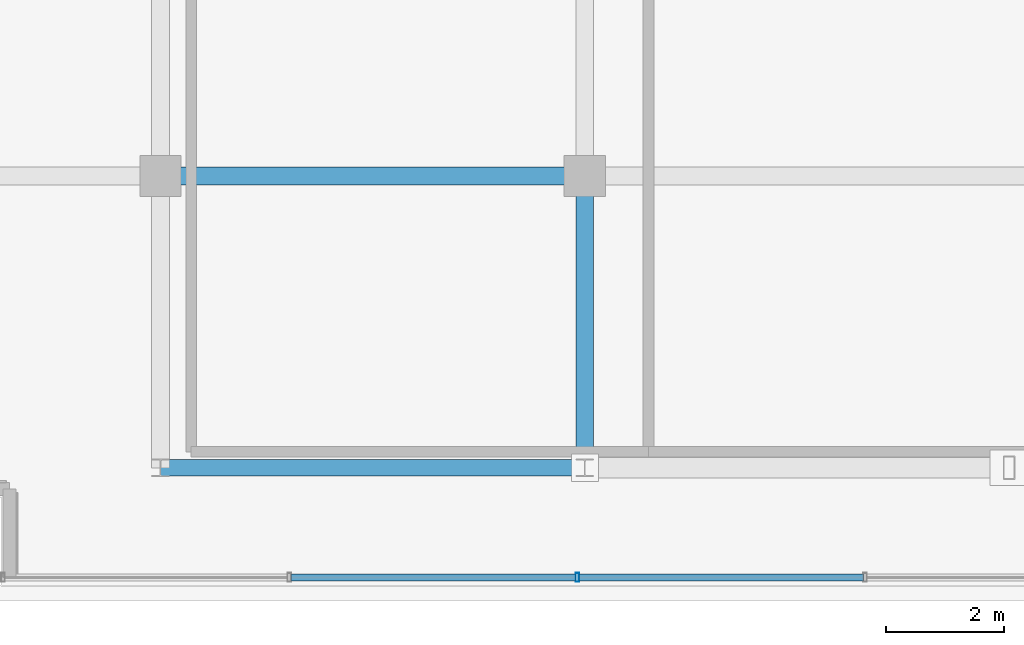
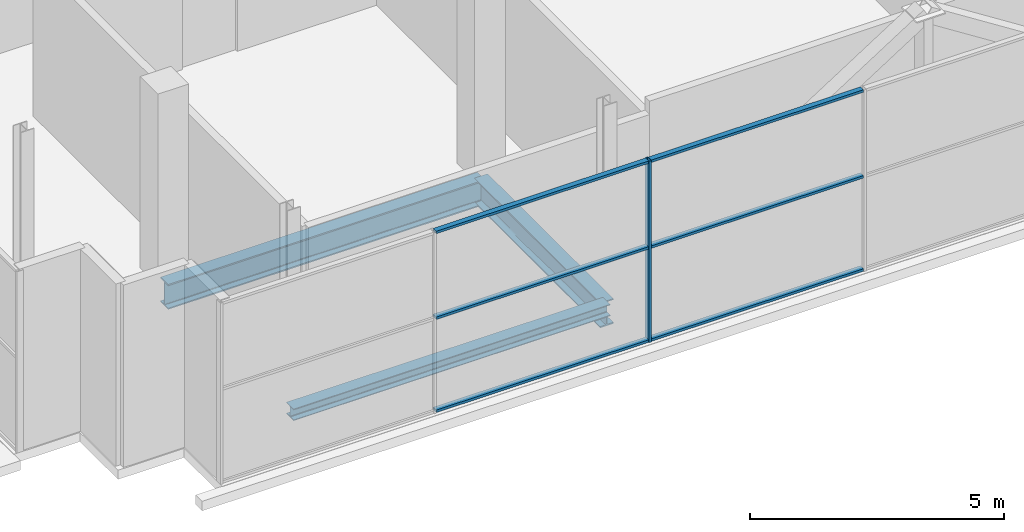
# One storey, part 4 of 28: 7 members, 3 beams, 1 element without a shape of its own.
"""IFC4 building model written with IfcOpenShell, lengths in metres."""

from ifc_helpers import new_model, si_unit, direction, frame, origin, origin_2d, place, context, subcontext, project, spatial, hollow_rectangle, i_section, extrude, source, transform, mapped, material, layer, layer_set, material_profile, profile_set, type_object, element, aggregate, save


model = new_model("IFC4")

# Units and contexts
model_context = context("Model", 3, precision=1e-05, world=origin(), true_north=direction((0.0, 1.0)))
body_context = subcontext(model_context, "Body", "Model", "MODEL_VIEW")
ifc_project = project(units=[si_unit("LENGTHUNIT", "METRE"), si_unit("AREAUNIT", "SQUARE_METRE"), si_unit("VOLUMEUNIT", "CUBIC_METRE"), si_unit("PLANEANGLEUNIT", "RADIAN"), si_unit("MASSUNIT", "GRAM", prefix="KILO")], contexts=[model_context])

# Site, building, storey
site_placement = place(None, origin())
site = spatial("IfcSite", under=ifc_project, at=site_placement, CompositionType="ELEMENT")
building_placement = place(site_placement, origin())
building = spatial("IfcBuilding", under=site, at=building_placement, Name="Zarnakvel Exchange Tower", CompositionType="ELEMENT")
storey_placement = place(building_placement, frame((0.0, 0.0, 276.199951171875)))
storey = spatial("IfcBuildingStorey", under=building, at=storey_placement, Name="Crown L78", CompositionType="ELEMENT", Elevation=276.199951171875)

# Beams
ifc_material_1 = material(Name="Steel S355", Category="steel")
ifc_material_profile_1 = material_profile(ifc_material_1, i_section(OverallWidth=0.300048828125, OverallDepth=0.60009765625, WebThickness=0.015380859375, FlangeThickness=0.030029296875, FilletRadius=0.027099609375, at=origin_2d()))
ifc_profile_set_1 = profile_set([ifc_material_profile_1], Name="Steel S355")
beam_type_1 = type_object("IfcBeamType", Name="G-04", PredefinedType="BEAM", material=ifc_profile_set_1)
beam_1_placement = place(storey_placement, frame((-14.39990234375, -9.60009765625, -0.52001953125), z_axis=(1.0, 0.0, 0.0), x_axis=(0.0, 1.0, 0.0)))
element("IfcBeam", 1, at=beam_1_placement, inside=storey, type_object=beam_type_1, Name="Crown L78 Tower E-W Frame Beam", PredefinedType="BEAM", context=body_context, shape_type="SweptSolid", body=[
    extrude(i_section(OverallWidth=0.300048828125, OverallDepth=0.60009765625, WebThickness=0.015380859375, FlangeThickness=0.030029296875, FilletRadius=0.027099609375, at=origin_2d()), origin(), (0.0, 0.0, 1.0), 7.199951171875),
])
beam_2_placement = place(storey_placement, frame((-7.199951171875, -14.550048828125, -0.52001953125), z_axis=(0.0, 1.0, 0.0), x_axis=(-1.0, 0.0, 0.0)))
element("IfcBeam", 2, at=beam_2_placement, inside=storey, type_object=beam_type_1, Name="Crown L78 Tower N-S Frame Beam", PredefinedType="BEAM", context=body_context, shape_type="SweptSolid", body=[
    extrude(i_section(OverallWidth=0.300048828125, OverallDepth=0.60009765625, WebThickness=0.015380859375, FlangeThickness=0.030029296875, FilletRadius=0.027099609375, at=origin_2d()), origin(), (0.0, 0.0, 1.0), 4.949951171875),
])
ifc_material_profile_2 = material_profile(ifc_material_1, i_section(OverallWidth=0.280029296875, OverallDepth=0.280029296875, WebThickness=0.010498046875, FlangeThickness=0.01806640625, FilletRadius=0.02392578125, at=origin_2d()))
ifc_profile_set_2 = profile_set([ifc_material_profile_2], Name="Steel S355")
beam_type_2 = type_object("IfcBeamType", Name="SP-04", PredefinedType="SPANDREL", material=ifc_profile_set_2)
beam_3_placement = place(storey_placement, frame((-14.39990234375, -14.550048828125, -0.35986328125), z_axis=(1.0, 0.0, 0.0), x_axis=(0.0, 1.0, 0.0)))
element("IfcBeam", 3, at=beam_3_placement, inside=storey, type_object=beam_type_2, Name="Crown L78 Tower E-W Frame Beam", PredefinedType="SPANDREL", context=body_context, shape_type="SweptSolid", body=[
    extrude(i_section(OverallWidth=0.280029296875, OverallDepth=0.280029296875, WebThickness=0.010498046875, FlangeThickness=0.01806640625, FilletRadius=0.02392578125, at=origin_2d()), origin(), (0.0, 0.0, 1.0), 7.199951171875),
])

# Curtain wall, members
ifc_material_2 = material(Name="Architectural Bronze Anodised Aluminium", Category="aluminium")
ifc_layer = layer(ifc_material_2, 0.14990234375)
ifc_layer_set = layer_set([ifc_layer], Name="Architectural Bronze Anodised Aluminium")
curtain_wall_type = type_object("IfcCurtainWallType", Name="CW-07", PredefinedType="NOTDEFINED", material=ifc_layer_set)
curtain_wall_placement = place(storey_placement, origin())
curtain_wall = element("IfcCurtainWall", 4, at=curtain_wall_placement, inside=storey, type_object=curtain_wall_type, Name="Crown L78 Curtain Wall CW-Crown L78-S (CW-07)", PredefinedType="NOTDEFINED")
ifc_material_profile_3 = material_profile(ifc_material_2, hollow_rectangle(XDim=0.14990234375, YDim=0.06005859375, WallThickness=0.00390625, at=origin_2d()))
ifc_profile_set_3 = profile_set([ifc_material_profile_3], Name="Architectural Bronze Anodised Aluminium")
member_type_1 = type_object("IfcMemberType", Name="CWM-07", PredefinedType="MULLION", material=ifc_profile_set_3)
shared_shape_1 = source(origin(), body_context, "Body", "SweptSolid", [
    extrude(hollow_rectangle(XDim=0.14990234375, YDim=0.06005859375, WallThickness=0.00390625, at=origin_2d()), origin(), (0.0, 0.0, 1.0), 4.360107421875),
])
member_1_placement = place(storey_placement, frame((-7.32861328125, -16.409912109375, 0.0), z_axis=(0.0, 0.0, 1.0), x_axis=(0.0, 1.0, 0.0)))
member_1 = element("IfcMember", 5, at=member_1_placement, type_object=member_type_1, Name="CW-07 mullion 3", PredefinedType="MULLION", context=body_context, shape_type="MappedRepresentation", body=[
    mapped(shared_shape_1, transform((0.0, 0.0, 0.0), x_axis=(1.0, 0.0, 0.0), y_axis=(0.0, 1.0, 0.0), z_axis=(0.0, 0.0, 1.0), scale=1.0)),
])
ifc_material_profile_4 = material_profile(ifc_material_2, hollow_rectangle(XDim=0.1201171875, YDim=0.06005859375, WallThickness=0.00390625, at=origin_2d()))
ifc_profile_set_4 = profile_set([ifc_material_profile_4], Name="Architectural Bronze Anodised Aluminium")
member_type_2 = type_object("IfcMemberType", Name="CWT-07", PredefinedType="USERDEFINED", material=ifc_profile_set_4)
shared_shape_2 = source(origin(), body_context, "Body", "SweptSolid", [
    extrude(hollow_rectangle(XDim=0.1201171875, YDim=0.06005859375, WallThickness=0.00390625, at=origin_2d()), origin(), (0.0, 0.0, 1.0), 4.82568359375),
])
member_2_placement = place(storey_placement, frame((-12.184326171875, -16.409912109375, 0.030029296875), z_axis=(1.0, 0.0, 0.0), x_axis=(0.0, 1.0, 0.0)))
member_2 = element("IfcMember", 6, at=member_2_placement, type_object=member_type_2, Name="CW-07 transom 2.1", ObjectType="TRANSOM", PredefinedType="USERDEFINED", context=body_context, shape_type="MappedRepresentation", body=[
    mapped(shared_shape_2, transform((0.0, 0.0, 0.0), x_axis=(1.0, 0.0, 0.0), y_axis=(0.0, 1.0, 0.0), z_axis=(0.0, 0.0, 1.0), scale=1.0)),
])
member_3_placement = place(storey_placement, frame((-12.184326171875, -16.409912109375, 2.267333984375), z_axis=(1.0, 0.0, 0.0), x_axis=(0.0, 1.0, 0.0)))
member_3 = element("IfcMember", 7, at=member_3_placement, type_object=member_type_2, Name="CW-07 transom 2.2", ObjectType="TRANSOM", PredefinedType="USERDEFINED", context=body_context, shape_type="MappedRepresentation", body=[
    mapped(shared_shape_2, transform((0.0, 0.0, 0.0), x_axis=(1.0, 0.0, 0.0), y_axis=(0.0, 1.0, 0.0), z_axis=(0.0, 0.0, 1.0), scale=1.0)),
])
member_4_placement = place(storey_placement, frame((-12.184326171875, -16.409912109375, 4.330078125), z_axis=(1.0, 0.0, 0.0), x_axis=(0.0, 1.0, 0.0)))
member_4 = element("IfcMember", 8, at=member_4_placement, type_object=member_type_2, Name="CW-07 transom 2.3", ObjectType="TRANSOM", PredefinedType="USERDEFINED", context=body_context, shape_type="MappedRepresentation", body=[
    mapped(shared_shape_2, transform((0.0, 0.0, 0.0), x_axis=(1.0, 0.0, 0.0), y_axis=(0.0, 1.0, 0.0), z_axis=(0.0, 0.0, 1.0), scale=1.0)),
])
member_5_placement = place(storey_placement, frame((-7.298583984375, -16.409912109375, 0.030029296875), z_axis=(1.0, 0.0, 0.0), x_axis=(0.0, 1.0, 0.0)))
member_5 = element("IfcMember", 9, at=member_5_placement, type_object=member_type_2, Name="CW-07 transom 3.1", ObjectType="TRANSOM", PredefinedType="USERDEFINED", context=body_context, shape_type="MappedRepresentation", body=[
    mapped(shared_shape_2, transform((0.0, 0.0, 0.0), x_axis=(1.0, 0.0, 0.0), y_axis=(0.0, 1.0, 0.0), z_axis=(0.0, 0.0, 1.0), scale=1.0)),
])
member_6_placement = place(storey_placement, frame((-7.298583984375, -16.409912109375, 2.267333984375), z_axis=(1.0, 0.0, 0.0), x_axis=(0.0, 1.0, 0.0)))
member_6 = element("IfcMember", 10, at=member_6_placement, type_object=member_type_2, Name="CW-07 transom 3.2", ObjectType="TRANSOM", PredefinedType="USERDEFINED", context=body_context, shape_type="MappedRepresentation", body=[
    mapped(shared_shape_2, transform((0.0, 0.0, 0.0), x_axis=(1.0, 0.0, 0.0), y_axis=(0.0, 1.0, 0.0), z_axis=(0.0, 0.0, 1.0), scale=1.0)),
])
member_7_placement = place(storey_placement, frame((-7.298583984375, -16.409912109375, 4.330078125), z_axis=(1.0, 0.0, 0.0), x_axis=(0.0, 1.0, 0.0)))
member_7 = element("IfcMember", 11, at=member_7_placement, type_object=member_type_2, Name="CW-07 transom 3.3", ObjectType="TRANSOM", PredefinedType="USERDEFINED", context=body_context, shape_type="MappedRepresentation", body=[
    mapped(shared_shape_2, transform((0.0, 0.0, 0.0), x_axis=(1.0, 0.0, 0.0), y_axis=(0.0, 1.0, 0.0), z_axis=(0.0, 0.0, 1.0), scale=1.0)),
])
aggregate(curtain_wall, [member_1, member_2, member_3, member_4, member_5, member_6, member_7])

save(model, "model.ifc")
